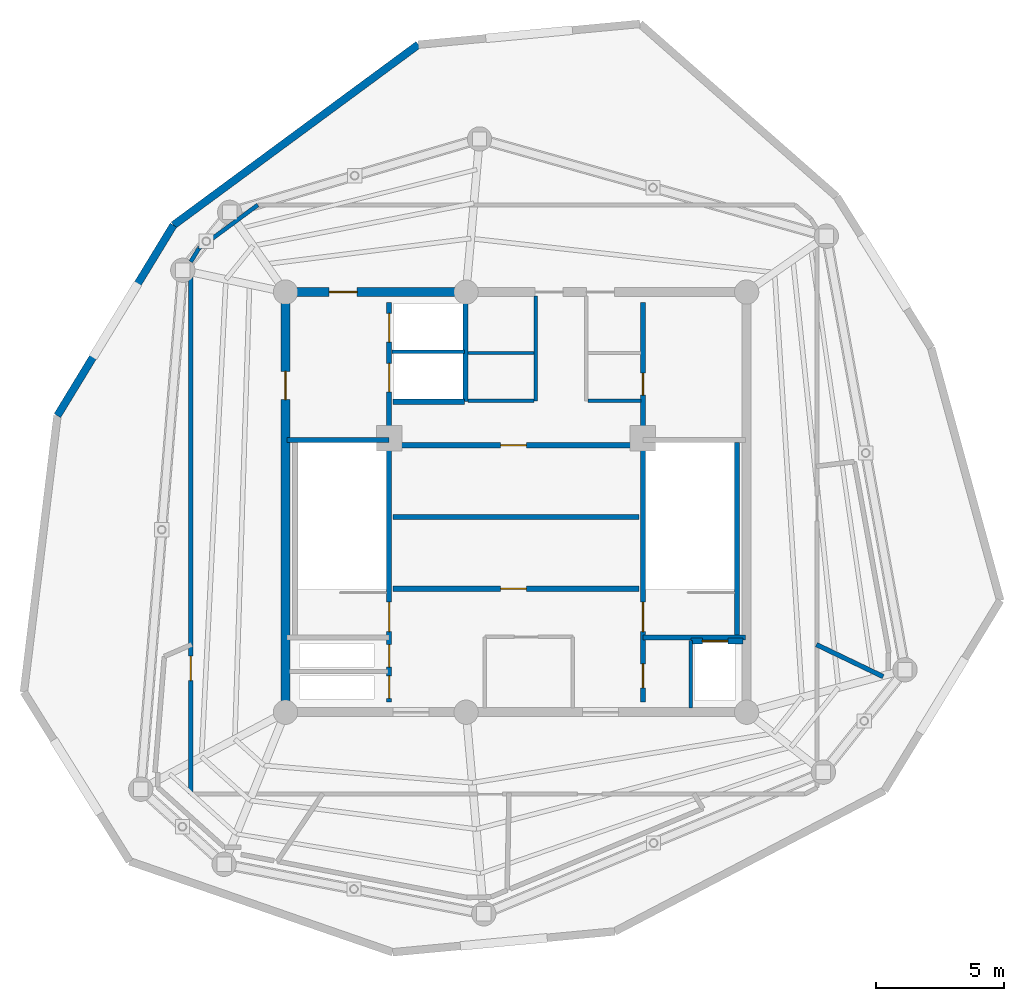
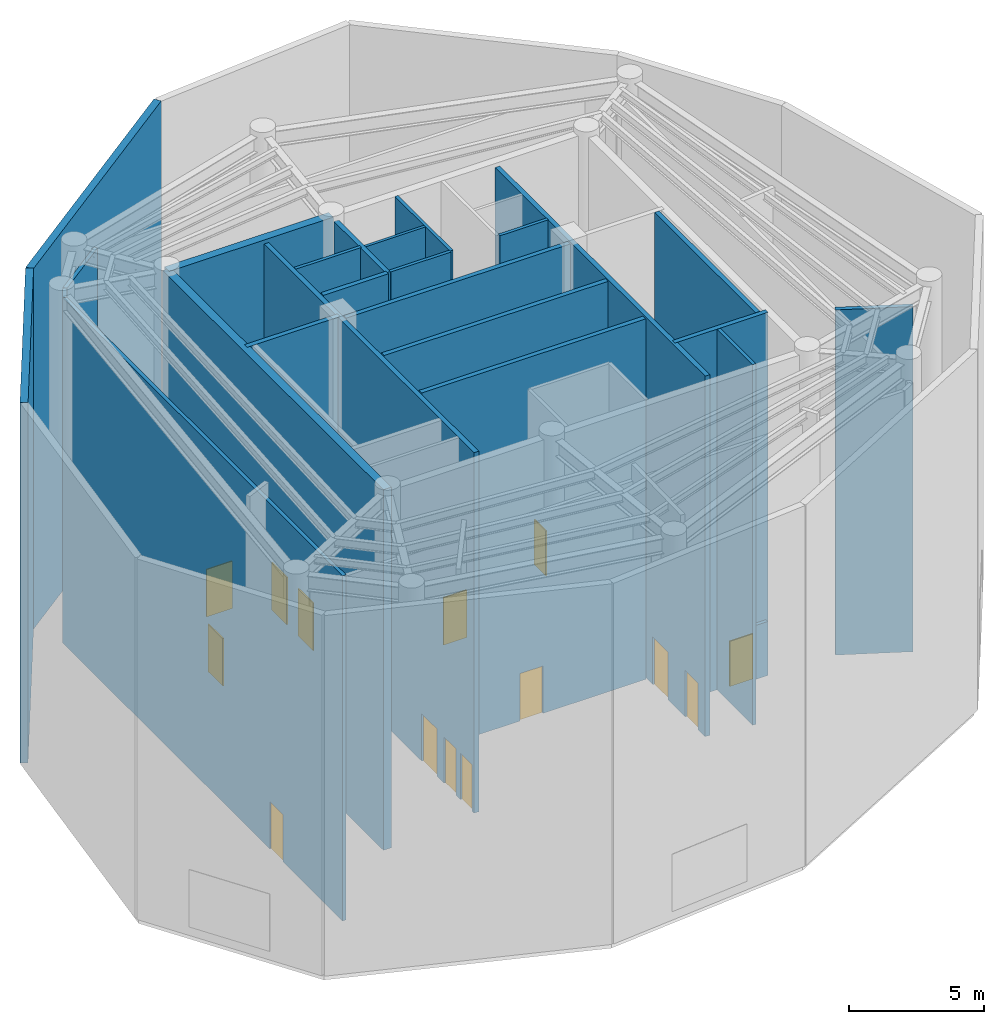
# One storey, part 4 of 6: 25 walls, 14 doors, 14 openings.
"""IFC4 building model written with IfcOpenShell, lengths in metres."""

from ifc_helpers import new_model, si_unit, direction, frame, frame_2d, origin, origin_with_axes, place, context, subcontext, project, spatial, rectangle, extrude, source, transform, mapped, material, layer, layer_set, type_object, element, fill, save


model = new_model("IFC4")

# Units and contexts
model_context = context("Model", 3, precision=1e-05, world=origin(), true_north=direction((0.0, 1.0)))
body_context = subcontext(model_context, "Body", "Model", "MODEL_VIEW")
ifc_project = project(units=[si_unit("LENGTHUNIT", "METRE"), si_unit("AREAUNIT", "SQUARE_METRE"), si_unit("VOLUMEUNIT", "CUBIC_METRE"), si_unit("PLANEANGLEUNIT", "RADIAN"), si_unit("MASSUNIT", "GRAM", prefix="KILO")], contexts=[model_context])

# Site, building, storey
site_placement = place(None, origin())
site = spatial("IfcSite", under=ifc_project, at=site_placement, CompositionType="ELEMENT")
building_placement = place(site_placement, origin())
building = spatial("IfcBuilding", under=site, at=building_placement, Name="Karkom Vertical University and Central Library", CompositionType="ELEMENT")
storey_placement = place(building_placement, frame((0.0, 0.0, 273.39990234375)))
storey = spatial("IfcBuildingStorey", under=building, at=storey_placement, Name="C81", CompositionType="ELEMENT", Elevation=273.39990234375)

# Walls
ifc_material_1 = material(Name="Brick-faced precast concrete C45/55", Category="masonry")
ifc_layer_1 = layer(ifc_material_1, 0.300048828125)
ifc_layer_set_1 = layer_set([ifc_layer_1], Name="Brick-faced precast concrete C45/55")
wall_type_1 = type_object("IfcWallType", Name="ENV-WL-CRN-300", PredefinedType="SOLIDWALL", material=ifc_layer_set_1)
wall_1_placement = place(storey_placement, frame((24.684814453125, 44.360107421875, 0.0), z_axis=(0.0, 0.0, 1.0), x_axis=(-0.804889434658, -0.593424803977, 0.0)))
element("IfcWall", 1, at=wall_1_placement, inside=storey, type_object=wall_type_1, Name="Crown Level 81 Brick-Faced Precast Facade Wall 10", PredefinedType="SOLIDWALL", context=body_context, shape_type="SweptSolid", body=[
    extrude(rectangle(XDim=11.87646484375, YDim=0.300048828125, at=frame_2d((5.938232421875, 0.0))), origin(), (0.0, 0.0, 1.0), 16.35009765625),
])
wall_2_placement = place(storey_placement, frame((15.12548828125, 37.312255859375, 0.0), z_axis=(0.0, 0.0, 1.0), x_axis=(-0.520339182014, -0.853959680349, 0.0)))
element("IfcWall", 2, at=wall_2_placement, inside=storey, type_object=wall_type_1, Name="Crown Level 81 Brick-Faced Precast Facade Wall 11", PredefinedType="SOLIDWALL", context=body_context, shape_type="SweptSolid", body=[
    extrude(rectangle(XDim=8.706787109375, YDim=0.300048828125, at=frame_2d((4.353515625, 0.0))), origin(), (0.0, 0.0, 1.0), 16.35009765625),
])

# Wall, opening, door
ifc_material_2 = material(Name="Insulated metal-stud drywall 160mm", Category="gypsum")
ifc_layer_2 = layer(ifc_material_2, 0.159912109375)
ifc_layer_set_2 = layer_set([ifc_layer_2], Name="Insulated metal-stud drywall 160mm")
wall_type_2 = type_object("IfcWallType", Name="INT-WL-COR-160F", PredefinedType="PARTITIONING", material=ifc_layer_set_2)
wall_3_placement = place(storey_placement, frame((15.800048828125, 15.10009765625, 0.0), z_axis=(0.0, 0.0, 1.0), x_axis=(0.0, 1.0, 0.0)))
wall_3 = element("IfcWall", 3, at=wall_3_placement, inside=storey, type_object=wall_type_2, Name="Crown Level 81 Interior Partition Wall C81-PCORW-CW-002", PredefinedType="PARTITIONING", context=body_context, shape_type="SweptSolid", body=[
    extrude(rectangle(XDim=20.7822265625, YDim=0.159912109375, at=frame_2d((10.39111328125, 0.0))), origin(), (0.0, 0.0, 1.0), 15.650146484375),
])
opening_1_placement = place(wall_3_placement, frame((4.4306640625, 0.0, 0.0)))
opening_1 = element("IfcOpeningElement", 4, at=opening_1_placement, cuts=wall_3, Name="Opening FD-RM1", PredefinedType="OPENING", context=body_context, shape_type="SweptSolid", body=[
    extrude(rectangle(XDim=0.9599609375, YDim=2.14990234375, at=frame_2d((0.47998046875, 1.074951171875))), frame((0.0, 0.08984375, 0.0), z_axis=(0.0, -1.0, 0.0), x_axis=(1.0, 0.0, 0.0)), (0.0, 0.0, 1.0), 0.179931640625),
])
ifc_material_3 = material(Name="Fire-rated oak veneer door", Category="wood")
door_type_1 = type_object("IfcDoorType", Name="INT-DR-FRM1", OperationType="NOTDEFINED", PredefinedType="DOOR", material=ifc_material_3)
shared_shape_1 = source(origin_with_axes(), body_context, "Body", "SweptSolid", [
    extrude(rectangle(XDim=0.9599609375, YDim=2.14990234375, at=frame_2d((0.47998046875, 1.074951171875))), frame((0.0, 0.02490234375, 0.0), z_axis=(0.0, -1.0, 0.0), x_axis=(1.0, 0.0, 0.0)), (0.0, 0.0, 1.0), 0.050048828125),
])
door_1_placement = place(opening_1_placement, origin())
door_1 = element("IfcDoor", 5, at=door_1_placement, inside=storey, type_object=door_type_1, Name="Crown Level 81 Room Entry Door 700", OperationType="SINGLE_SWING_RIGHT", OverallHeight=2.14990234375, OverallWidth=0.9599609375, PredefinedType="DOOR", context=body_context, shape_type="MappedRepresentation", body=[
    mapped(shared_shape_1, transform((0.0, 0.0, 0.0), scale=1.0)),
])
fill(opening_1, door_1)

# Walls
wall_4_placement = place(storey_placement, frame((16.117919921875, 36.40380859375, 0.0), z_axis=(0.0, 0.0, 1.0), x_axis=(0.804832490676, 0.59350203197, 0.0)))
element("IfcWall", 6, at=wall_4_placement, inside=storey, type_object=wall_type_2, Name="Crown Level 81 Interior Partition Wall C81-PCORW-CW-004", PredefinedType="PARTITIONING", context=body_context, shape_type="SweptSolid", body=[
    extrude(rectangle(XDim=2.858154296875, YDim=0.159912109375, at=frame_2d((1.42919921875, 0.0))), origin(), (0.0, 0.0, 1.0), 15.650146484375),
])
wall_5_placement = place(storey_placement, frame((15.800048828125, 35.88232421875, 0.0), z_axis=(0.0, 0.0, 1.0), x_axis=(0.520479483327, 0.853874175412, 0.0)))
element("IfcWall", 7, at=wall_5_placement, inside=storey, type_object=wall_type_2, Name="Crown Level 81 Interior Partition Wall C81-PCORW-CW-003", PredefinedType="PARTITIONING", context=body_context, shape_type="SweptSolid", body=[
    extrude(rectangle(XDim=0.61083984375, YDim=0.159912109375, at=frame_2d((0.305419921875, 0.0))), origin(), (0.0, 0.0, 1.0), 15.650146484375),
])
ifc_material_4 = material(Name="Moisture-resistant drywall 120mm", Category="gypsum")
ifc_layer_3 = layer(ifc_material_4, 0.1201171875)
ifc_layer_set_3 = layer_set([ifc_layer_3], Name="Moisture-resistant drywall 120mm")
wall_type_3 = type_object("IfcWallType", Name="INT-WL-INT-120H", PredefinedType="PARTITIONING", material=ifc_layer_set_3)
wall_6_placement = place(storey_placement, frame((26.6201171875, 32.320068359375, 0.0), z_axis=(0.0, 0.0, 1.0), x_axis=(1.0, 0.0, 0.0)))
element("IfcWall", 8, at=wall_6_placement, inside=storey, type_object=wall_type_3, Name="Crown Level 81 Interior Partition Wall C81-CW-PH-MW", PredefinedType="PARTITIONING", context=body_context, shape_type="SweptSolid", body=[
    extrude(rectangle(XDim=2.579833984375, YDim=0.1201171875, at=frame_2d((1.2900390625, 0.0))), origin(), (0.0, 0.0, 1.0), 16.35009765625),
])
ifc_material_5 = material(Name="Metal-stud gypsum partition 140mm", Category="gypsum")
ifc_layer_4 = layer(ifc_material_5, 0.139892578125)
ifc_layer_set_4 = layer_set([ifc_layer_4], Name="Metal-stud gypsum partition 140mm")
wall_type_4 = type_object("IfcWallType", Name="INT-WL-SUB-140H", PredefinedType="PARTITIONING", material=ifc_layer_set_4)
wall_7_placement = place(storey_placement, frame((29.260009765625, 30.449951171875, 0.0), z_axis=(0.0, 0.0, 1.0), x_axis=(0.0, 1.0, 0.0)))
element("IfcWall", 9, at=wall_7_placement, inside=storey, type_object=wall_type_4, Name="Crown Level 81 Interior Partition Wall C81-CW-PH-W", PredefinedType="PARTITIONING", context=body_context, shape_type="SweptSolid", body=[
    extrude(rectangle(XDim=4.090087890625, YDim=0.139892578125, at=frame_2d((2.044921875, 0.0))), origin(), (0.0, 0.0, 1.0), 16.35009765625),
])
wall_8_placement = place(storey_placement, frame((26.6201171875, 30.449951171875, 0.0), z_axis=(0.0, 0.0, 1.0), x_axis=(1.0, 0.0, 0.0)))
element("IfcWall", 10, at=wall_8_placement, inside=storey, type_object=wall_type_4, Name="Crown Level 81 Interior Partition Wall C81-CW-PH-S1", PredefinedType="PARTITIONING", context=body_context, shape_type="SweptSolid", body=[
    extrude(rectangle(XDim=2.579833984375, YDim=0.139892578125, at=frame_2d((1.2900390625, 0.0))), origin(), (0.0, 0.0, 1.0), 16.35009765625),
])
wall_9_placement = place(storey_placement, frame((35.320068359375, 18.4599609375, 0.0), z_axis=(0.0, 0.0, 1.0), x_axis=(0.0, 1.0, 0.0)))
element("IfcWall", 11, at=wall_9_placement, inside=storey, type_object=wall_type_4, Name="Crown Level 81 Interior Partition Wall C81-CW-RIS-E", PredefinedType="PARTITIONING", context=body_context, shape_type="SweptSolid", body=[
    extrude(rectangle(XDim=2.6396484375, YDim=0.139892578125, at=frame_2d((1.31982421875, 0.0))), origin(), (0.0, 0.0, 1.0), 16.35009765625),
])
wall_10_placement = place(storey_placement, frame((31.300048828125, 30.449951171875, 0.0), z_axis=(0.0, 0.0, 1.0), x_axis=(1.0, 0.0, 0.0)))
element("IfcWall", 12, at=wall_10_placement, inside=storey, type_object=wall_type_4, Name="Crown Level 81 Interior Partition Wall C81-CW-PH-S2", PredefinedType="PARTITIONING", context=body_context, shape_type="SweptSolid", body=[
    extrude(rectangle(XDim=2.074951171875, YDim=0.139892578125, at=frame_2d((1.03759765625, 0.0))), origin(), (0.0, 0.0, 1.0), 16.35009765625),
])
ifc_layer_5 = layer(ifc_material_5, 0.139892578125)
ifc_layer_set_5 = layer_set([ifc_layer_5], Name="Metal-stud gypsum partition 140mm")
wall_type_5 = type_object("IfcWallType", Name="INT-WL-SUB-140X", PredefinedType="PARTITIONING", material=ifc_layer_set_5)
wall_11_placement = place(storey_placement, frame((23.652099609375, 32.3701171875, 0.0), z_axis=(0.0, 0.0, 1.0), x_axis=(1.0, 0.0, 0.0)))
element("IfcWall", 13, at=wall_11_placement, inside=storey, type_object=wall_type_5, Name="Crown Level 81 Interior Partition Wall C81-CW-FFL-M", PredefinedType="PARTITIONING", context=body_context, shape_type="SweptSolid", body=[
    extrude(rectangle(XDim=2.827880859375, YDim=0.139892578125, at=frame_2d((1.4140625, 0.0))), origin(), (0.0, 0.0, 1.0), 16.35009765625),
])
ifc_material_6 = material(Name="Twin-stud acoustic drywall 180mm", Category="gypsum")
ifc_layer_6 = layer(ifc_material_6, 0.179931640625)
ifc_layer_set_6 = layer_set([ifc_layer_6], Name="Twin-stud acoustic drywall 180mm")
wall_type_6 = type_object("IfcWallType", Name="INT-WL-TEN-180F", PredefinedType="PARTITIONING", material=ifc_layer_set_6)
wall_12_placement = place(storey_placement, frame((42.829833984375, 19.689697265625, 0.0), z_axis=(0.0, 0.0, 1.0), x_axis=(-0.901570483587, 0.432632249288, 0.0)))
element("IfcWall", 14, at=wall_12_placement, inside=storey, type_object=wall_type_6, Name="Crown Level 81 Interior Partition Wall C81-PLCHW-019", PredefinedType="PARTITIONING", context=body_context, shape_type="SweptSolid", body=[
    extrude(rectangle(XDim=2.8916015625, YDim=0.179931640625, at=frame_2d((1.44580078125, 0.0))), origin(), (0.0, 0.0, 1.0), 15.650146484375),
])

# Wall, opening, door
ifc_material_7 = material(Name="Concrete C45/55", Category="concrete")
ifc_layer_7 = layer(ifc_material_7, 0.219970703125)
ifc_layer_set_7 = layer_set([ifc_layer_7], Name="Concrete C45/55")
wall_type_7 = type_object("IfcWallType", Name="STR-WL-CW-220", PredefinedType="SHEAR", material=ifc_layer_set_7)
wall_13_placement = place(storey_placement, frame((35.320068359375, 21.080078125, 0.0), z_axis=(0.0, 0.0, 1.0), x_axis=(1.0, 0.0, 0.0)))
wall_13 = element("IfcWall", 15, at=wall_13_placement, inside=storey, type_object=wall_type_7, Name="Crown Level 81 Duct Riser Access Wall 5", PredefinedType="SHEAR", context=body_context, shape_type="SweptSolid", body=[
    extrude(rectangle(XDim=2.030029296875, YDim=0.219970703125, at=frame_2d((1.01513671875, 0.0))), origin(), (0.0, 0.0, 1.0), 2.4501953125),
])
opening_2_placement = place(wall_13_placement, frame((0.449951171875, 0.0, 0.0)))
opening_2 = element("IfcOpeningElement", 16, at=opening_2_placement, cuts=wall_13, Name="Opening HD-1", PredefinedType="OPENING", context=body_context, shape_type="SweptSolid", body=[
    extrude(rectangle(XDim=1.0, YDim=2.050048828125, at=frame_2d((0.5, 1.02490234375))), frame((0.0, 0.1201171875, 0.0), z_axis=(0.0, -1.0, 0.0), x_axis=(1.0, 0.0, 0.0)), (0.0, 0.0, 1.0), 0.239990234375),
])
ifc_material_8 = material(Name="Insulated aluminium riser access door", Category="aluminium")
door_type_2 = type_object("IfcDoorType", Name="ENV-DR-HTCH", OperationType="SINGLE_SWING_LEFT", PredefinedType="TRAPDOOR", material=ifc_material_8)
shared_shape_2 = source(origin_with_axes(), body_context, "Body", "SweptSolid", [
    extrude(rectangle(XDim=1.0, YDim=2.050048828125, at=frame_2d((0.5, 1.02490234375))), frame((0.0, 0.02490234375, 0.0), z_axis=(0.0, -1.0, 0.0), x_axis=(1.0, 0.0, 0.0)), (0.0, 0.0, 1.0), 0.050048828125),
])
door_2_placement = place(opening_2_placement, origin())
door_2 = element("IfcDoor", 17, at=door_2_placement, inside=storey, type_object=door_type_2, Name="Crown Level 81 Maintenance Riser Access Hatch Door 5", OperationType="SINGLE_SWING_LEFT", OverallHeight=2.050048828125, OverallWidth=1.0, PredefinedType="TRAPDOOR", context=body_context, shape_type="MappedRepresentation", body=[
    mapped(shared_shape_2, transform((0.0, 0.0, 0.0), scale=1.0)),
])
fill(opening_2, door_2)

ifc_layer_8 = layer(ifc_material_7, 0.35009765625)
ifc_layer_set_8 = layer_set([ifc_layer_8], Name="Concrete C45/55")
wall_type_8 = type_object("IfcWallType", Name="STR-WL-CW-350", PredefinedType="SHEAR", material=ifc_layer_set_8)
wall_14_placement = place(storey_placement, frame((26.550048828125, 34.699951171875, 0.0), z_axis=(0.0, 0.0, 1.0), x_axis=(-1.0, 0.0, 0.0)))
wall_14 = element("IfcWall", 18, at=wall_14_placement, inside=storey, type_object=wall_type_8, Name="Crown Level 81 Central Core Shear Wall NW2", PredefinedType="SHEAR", context=body_context, shape_type="SweptSolid", body=[
    extrude(rectangle(XDim=7.050048828125, YDim=0.35009765625, at=frame_2d((3.52490234375, 0.0))), origin(), (0.0, 0.0, 1.0), 16.35009765625),
])
opening_3_placement = place(wall_14_placement, frame((4.25, 0.0, 0.0)))
opening_3 = element("IfcOpeningElement", 19, at=opening_3_placement, cuts=wall_14, Name="Opening FD-FFL", PredefinedType="OPENING", context=body_context, shape_type="SweptSolid", body=[
    extrude(rectangle(XDim=1.10009765625, YDim=2.14990234375, at=frame_2d((0.550048828125, 1.074951171875))), frame((0.0, 0.18505859375, 0.0), z_axis=(0.0, -1.0, 0.0), x_axis=(1.0, 0.0, 0.0)), (0.0, 0.0, 1.0), 0.3701171875),
])
ifc_material_9 = material(Name="Painted steel smoke-seal fire door", Category="steel")
door_type_3 = type_object("IfcDoorType", Name="INT-DR-FFL", OperationType="NOTDEFINED", PredefinedType="DOOR", material=ifc_material_9)
shared_shape_3 = source(origin_with_axes(), body_context, "Body", "SweptSolid", [
    extrude(rectangle(XDim=1.10009765625, YDim=2.14990234375, at=frame_2d((0.550048828125, 1.074951171875))), frame((0.0, 0.02490234375, 0.0), z_axis=(0.0, -1.0, 0.0), x_axis=(1.0, 0.0, 0.0)), (0.0, 0.0, 1.0), 0.050048828125),
])
door_3_placement = place(opening_3_placement, origin())
door_3 = element("IfcDoor", 20, at=door_3_placement, inside=storey, type_object=door_type_3, Name="Crown Level 81 Firefighting Lobby Door", OperationType="SINGLE_SWING_RIGHT", OverallHeight=2.14990234375, OverallWidth=1.10009765625, PredefinedType="DOOR", context=body_context, shape_type="MappedRepresentation", body=[
    mapped(shared_shape_3, transform((0.0, 0.0, 0.0), scale=1.0)),
])
fill(opening_3, door_3)

wall_15_placement = place(storey_placement, frame((19.5, 34.699951171875, 0.0), z_axis=(0.0, 0.0, 1.0), x_axis=(0.0, -1.0, 0.0)))
wall_15 = element("IfcWall", 21, at=wall_15_placement, inside=storey, type_object=wall_type_8, Name="Crown Level 81 Central Core Shear Wall WW", PredefinedType="SHEAR", context=body_context, shape_type="SweptSolid", body=[
    extrude(rectangle(XDim=16.39990234375, YDim=0.35009765625, at=frame_2d((8.199951171875, 0.0))), origin(), (0.0, 0.0, 1.0), 16.35009765625),
])
opening_4_placement = place(wall_15_placement, frame((3.10009765625, 0.0, 0.0)))
opening_4 = element("IfcOpeningElement", 22, at=opening_4_placement, cuts=wall_15, Name="Opening FD-FFL", PredefinedType="OPENING", context=body_context, shape_type="SweptSolid", body=[
    extrude(rectangle(XDim=1.10009765625, YDim=2.14990234375, at=frame_2d((0.550048828125, 1.074951171875))), frame((0.0, 0.18505859375, 0.0), z_axis=(0.0, -1.0, 0.0), x_axis=(1.0, 0.0, 0.0)), (0.0, 0.0, 1.0), 0.3701171875),
])
door_4_placement = place(opening_4_placement, origin())
door_4 = element("IfcDoor", 23, at=door_4_placement, inside=storey, type_object=door_type_3, Name="Crown Level 81 West Corridor Firefighting Lobby Door", OperationType="SINGLE_SWING_LEFT", OverallHeight=2.14990234375, OverallWidth=1.10009765625, PredefinedType="DOOR", context=body_context, shape_type="MappedRepresentation", body=[
    mapped(shared_shape_3, transform((0.0, 0.0, 0.0), scale=1.0)),
])
fill(opening_4, door_4)

# Wall, openings, doors
ifc_layer_9 = layer(ifc_material_7, 0.199951171875)
ifc_layer_set_9 = layer_set([ifc_layer_9], Name="Concrete C45/55")
wall_type_9 = type_object("IfcWallType", Name="STR-WL-ST-200", PredefinedType="SHEAR", material=ifc_layer_set_9)
wall_16_placement = place(storey_placement, frame((23.544921875, 18.699951171875, 0.0), z_axis=(0.0, 0.0, 1.0), x_axis=(0.0, 1.0, 0.0)))
wall_16 = element("IfcWall", 24, at=wall_16_placement, inside=storey, type_object=wall_type_9, Name="Crown Level 81 Core Shaft Wall C81-CW-ST1-E", PredefinedType="SHEAR", context=body_context, shape_type="SweptSolid", body=[
    extrude(rectangle(XDim=15.60009765625, YDim=0.199951171875, at=frame_2d((7.800048828125, 0.0))), origin(), (0.0, 0.0, 1.0), 16.35009765625),
])
opening_5_placement = place(wall_16_placement, frame((2.75, 0.0, 0.0)))
opening_5 = element("IfcOpeningElement", 25, at=opening_5_placement, cuts=wall_16, Name="Opening FD-ST1", PredefinedType="OPENING", context=body_context, shape_type="SweptSolid", body=[
    extrude(rectangle(XDim=1.14990234375, YDim=2.14990234375, at=frame_2d((0.574951171875, 1.074951171875))), frame((0.0, 0.10986328125, 0.0), z_axis=(0.0, -1.0, 0.0), x_axis=(1.0, 0.0, 0.0)), (0.0, 0.0, 1.0), 0.219970703125),
])
opening_6_placement = place(wall_16_placement, frame((0.139892578125, 0.0, 0.0)))
opening_6 = element("IfcOpeningElement", 26, at=opening_6_placement, cuts=wall_16, Name="Opening FD-RIS", PredefinedType="OPENING", context=body_context, shape_type="SweptSolid", body=[
    extrude(rectangle(XDim=0.8798828125, YDim=2.10009765625, at=frame_2d((0.43994140625, 1.050048828125))), frame((0.0, 0.10986328125, 0.0), z_axis=(0.0, -1.0, 0.0), x_axis=(1.0, 0.0, 0.0)), (0.0, 0.0, 1.0), 0.219970703125),
])
opening_7_placement = place(wall_16_placement, frame((1.360107421875, 0.0, 0.0)))
opening_7 = element("IfcOpeningElement", 27, at=opening_7_placement, cuts=wall_16, Name="Opening FD-RIS", PredefinedType="OPENING", context=body_context, shape_type="SweptSolid", body=[
    extrude(rectangle(XDim=0.8798828125, YDim=2.10009765625, at=frame_2d((0.43994140625, 1.050048828125))), frame((0.0, 0.10986328125, 0.0), z_axis=(0.0, -1.0, 0.0), x_axis=(1.0, 0.0, 0.0)), (0.0, 0.0, 1.0), 0.219970703125),
])
opening_8_placement = place(wall_16_placement, frame((12.10009765625, 0.0, 0.0)))
opening_8 = element("IfcOpeningElement", 28, at=opening_8_placement, cuts=wall_16, Name="Opening LD-FFL", PredefinedType="OPENING", context=body_context, shape_type="SweptSolid", body=[
    extrude(rectangle(XDim=1.1201171875, YDim=2.14990234375, at=frame_2d((0.56005859375, 1.074951171875))), frame((0.0, 0.10986328125, 0.0), z_axis=(0.0, -1.0, 0.0), x_axis=(1.0, 0.0, 0.0)), (0.0, 0.0, 1.0), 0.219970703125),
])
opening_9_placement = place(wall_16_placement, frame((14.050048828125, 0.0, 0.0)))
opening_9 = element("IfcOpeningElement", 29, at=opening_9_placement, cuts=wall_16, Name="Opening LD-FFL", PredefinedType="OPENING", context=body_context, shape_type="SweptSolid", body=[
    extrude(rectangle(XDim=1.1201171875, YDim=2.14990234375, at=frame_2d((0.56005859375, 1.074951171875))), frame((0.0, 0.10986328125, 0.0), z_axis=(0.0, -1.0, 0.0), x_axis=(1.0, 0.0, 0.0)), (0.0, 0.0, 1.0), 0.219970703125),
])
ifc_material_10 = material(Name="Painted steel acoustic fire door", Category="steel")
door_type_4 = type_object("IfcDoorType", Name="INT-DR-ST1", OperationType="NOTDEFINED", PredefinedType="DOOR", material=ifc_material_10)
shared_shape_4 = source(origin_with_axes(), body_context, "Body", "SweptSolid", [
    extrude(rectangle(XDim=1.14990234375, YDim=2.14990234375, at=frame_2d((0.574951171875, 1.074951171875))), frame((0.0, 0.02490234375, 0.0), z_axis=(0.0, -1.0, 0.0), x_axis=(1.0, 0.0, 0.0)), (0.0, 0.0, 1.0), 0.050048828125),
])
door_5_placement = place(opening_5_placement, origin())
door_5 = element("IfcDoor", 30, at=door_5_placement, inside=storey, type_object=door_type_4, Name="Crown Level 81 Stair ST-1 Fire Door", OperationType="SINGLE_SWING_RIGHT", OverallHeight=2.14990234375, OverallWidth=1.14990234375, PredefinedType="DOOR", context=body_context, shape_type="MappedRepresentation", body=[
    mapped(shared_shape_4, transform((0.0, 0.0, 0.0), scale=1.0)),
])
fill(opening_5, door_5)
ifc_material_11 = material(Name="Painted steel riser access door", Category="steel")
door_type_5 = type_object("IfcDoorType", Name="INT-DR-RIS", OperationType="NOTDEFINED", PredefinedType="DOOR", material=ifc_material_11)
shared_shape_5 = source(origin_with_axes(), body_context, "Body", "SweptSolid", [
    extrude(rectangle(XDim=0.8798828125, YDim=2.10009765625, at=frame_2d((0.43994140625, 1.050048828125))), frame((0.0, 0.02490234375, 0.0), z_axis=(0.0, -1.0, 0.0), x_axis=(1.0, 0.0, 0.0)), (0.0, 0.0, 1.0), 0.050048828125),
])
door_6_placement = place(opening_6_placement, origin())
door_6 = element("IfcDoor", 31, at=door_6_placement, inside=storey, type_object=door_type_5, Name="Crown Level 81 Electrical Riser Access Door", OperationType="SINGLE_SWING_LEFT", OverallHeight=2.10009765625, OverallWidth=0.8798828125, PredefinedType="DOOR", context=body_context, shape_type="MappedRepresentation", body=[
    mapped(shared_shape_5, transform((0.0, 0.0, 0.0), scale=1.0)),
])
fill(opening_6, door_6)
door_7_placement = place(opening_7_placement, origin())
door_7 = element("IfcDoor", 32, at=door_7_placement, inside=storey, type_object=door_type_5, Name="Crown Level 81 Telecom Riser Access Door", OperationType="SINGLE_SWING_RIGHT", OverallHeight=2.10009765625, OverallWidth=0.8798828125, PredefinedType="DOOR", context=body_context, shape_type="MappedRepresentation", body=[
    mapped(shared_shape_5, transform((0.0, 0.0, 0.0), scale=1.0)),
])
fill(opening_7, door_7)
ifc_material_12 = material(Name="Fire-rated stainless-steel landing door", Category="steel")
door_type_6 = type_object("IfcDoorType", Name="INT-DR-LD-FFL", OperationType="SLIDING_TO_LEFT", PredefinedType="DOOR", material=ifc_material_12)
shared_shape_6 = source(origin_with_axes(), body_context, "Body", "SweptSolid", [
    extrude(rectangle(XDim=1.1201171875, YDim=2.14990234375, at=frame_2d((0.56005859375, 1.074951171875))), frame((0.0, 0.02490234375, 0.0), z_axis=(0.0, -1.0, 0.0), x_axis=(1.0, 0.0, 0.0)), (0.0, 0.0, 1.0), 0.050048828125),
])
door_8_placement = place(opening_8_placement, origin())
door_8 = element("IfcDoor", 33, at=door_8_placement, inside=storey, type_object=door_type_6, Name="Crown Level 81 Firefighting Lift FFL-1 Landing Door", OperationType="SLIDING_TO_LEFT", OverallHeight=2.14990234375, OverallWidth=1.1201171875, PredefinedType="DOOR", context=body_context, shape_type="MappedRepresentation", body=[
    mapped(shared_shape_6, transform((0.0, 0.0, 0.0), scale=1.0)),
])
fill(opening_8, door_8)
door_9_placement = place(opening_9_placement, origin())
door_9 = element("IfcDoor", 34, at=door_9_placement, inside=storey, type_object=door_type_6, Name="Crown Level 81 Firefighting Lift FFL-2 Landing Door", OperationType="SLIDING_TO_RIGHT", OverallHeight=2.14990234375, OverallWidth=1.1201171875, PredefinedType="DOOR", context=body_context, shape_type="MappedRepresentation", body=[
    mapped(shared_shape_6, transform((0.0, 0.0, 0.0), scale=1.0)),
])
fill(opening_9, door_9)

wall_17_placement = place(storey_placement, frame((33.455078125, 18.699951171875, 0.0), z_axis=(0.0, 0.0, 1.0), x_axis=(0.0, 1.0, 0.0)))
wall_17 = element("IfcWall", 35, at=wall_17_placement, inside=storey, type_object=wall_type_9, Name="Crown Level 81 Core Shaft Wall C81-CW-ST2-W", PredefinedType="SHEAR", context=body_context, shape_type="SweptSolid", body=[
    extrude(rectangle(XDim=15.60009765625, YDim=0.199951171875, at=frame_2d((7.800048828125, 0.0))), origin(), (0.0, 0.0, 1.0), 16.35009765625),
])
opening_10_placement = place(wall_17_placement, frame((2.75, 0.0, 0.0)))
opening_10 = element("IfcOpeningElement", 36, at=opening_10_placement, cuts=wall_17, Name="Opening FD-ST1", PredefinedType="OPENING", context=body_context, shape_type="SweptSolid", body=[
    extrude(rectangle(XDim=1.14990234375, YDim=2.14990234375, at=frame_2d((0.574951171875, 1.074951171875))), frame((0.0, 0.10986328125, 0.0), z_axis=(0.0, -1.0, 0.0), x_axis=(1.0, 0.0, 0.0)), (0.0, 0.0, 1.0), 0.219970703125),
])
opening_11_placement = place(wall_17_placement, frame((0.550048828125, 0.0, 0.0)))
opening_11 = element("IfcOpeningElement", 37, at=opening_11_placement, cuts=wall_17, Name="Opening D-WC1", PredefinedType="OPENING", context=body_context, shape_type="SweptSolid", body=[
    extrude(rectangle(XDim=0.93994140625, YDim=2.10009765625, at=frame_2d((0.469970703125, 1.050048828125))), frame((0.0, 0.10986328125, 0.0), z_axis=(0.0, -1.0, 0.0), x_axis=(1.0, 0.0, 0.0)), (0.0, 0.0, 1.0), 0.219970703125),
])
opening_12_placement = place(wall_17_placement, frame((11.97998046875, 0.0, 0.0)))
opening_12 = element("IfcOpeningElement", 38, at=opening_12_placement, cuts=wall_17, Name="Opening FD-BTH2", PredefinedType="OPENING", context=body_context, shape_type="SweptSolid", body=[
    extrude(rectangle(XDim=0.860107421875, YDim=2.0400390625, at=frame_2d((0.43017578125, 1.02001953125))), frame((0.0, 0.10986328125, 0.0), z_axis=(0.0, -1.0, 0.0), x_axis=(1.0, 0.0, 0.0)), (0.0, 0.0, 1.0), 0.219970703125),
])
door_10_placement = place(opening_10_placement, origin())
door_10 = element("IfcDoor", 39, at=door_10_placement, inside=storey, type_object=door_type_4, Name="Crown Level 81 Stair ST-2 Fire Door", OperationType="SINGLE_SWING_LEFT", OverallHeight=2.14990234375, OverallWidth=1.14990234375, PredefinedType="DOOR", context=body_context, shape_type="MappedRepresentation", body=[
    mapped(shared_shape_4, transform((0.0, 0.0, 0.0), scale=1.0)),
])
fill(opening_10, door_10)
ifc_material_13 = material(Name="Fire-rated laminate moisture-resistant door", Category="wood")
door_type_7 = type_object("IfcDoorType", Name="INT-DR-WC1", OperationType="NOTDEFINED", PredefinedType="DOOR", material=ifc_material_13)
shared_shape_7 = source(origin_with_axes(), body_context, "Body", "SweptSolid", [
    extrude(rectangle(XDim=0.93994140625, YDim=2.10009765625, at=frame_2d((0.469970703125, 1.050048828125))), frame((0.0, 0.02490234375, 0.0), z_axis=(0.0, -1.0, 0.0), x_axis=(1.0, 0.0, 0.0)), (0.0, 0.0, 1.0), 0.050048828125),
])
door_11_placement = place(opening_11_placement, origin())
door_11 = element("IfcDoor", 40, at=door_11_placement, inside=storey, type_object=door_type_7, Name="Crown Level 81 Accessible WC Door", OperationType="SINGLE_SWING_LEFT", OverallHeight=2.10009765625, OverallWidth=0.93994140625, PredefinedType="DOOR", context=body_context, shape_type="MappedRepresentation", body=[
    mapped(shared_shape_7, transform((0.0, 0.0, 0.0), scale=1.0)),
])
fill(opening_11, door_11)
ifc_material_14 = material(Name="Fire-rated moisture-resistant oak door", Category="wood")
door_type_8 = type_object("IfcDoorType", Name="INT-DR-FBTH2", OperationType="NOTDEFINED", PredefinedType="DOOR", material=ifc_material_14)
shared_shape_8 = source(origin_with_axes(), body_context, "Body", "SweptSolid", [
    extrude(rectangle(XDim=0.860107421875, YDim=2.0400390625, at=frame_2d((0.43017578125, 1.02001953125))), frame((0.0, 0.02490234375, 0.0), z_axis=(0.0, -1.0, 0.0), x_axis=(1.0, 0.0, 0.0)), (0.0, 0.0, 1.0), 0.050048828125),
])
door_12_placement = place(opening_12_placement, origin())
door_12 = element("IfcDoor", 41, at=door_12_placement, inside=storey, type_object=door_type_8, Name="Crown Level 81 Crown Mechanical Plant Store Entry Door", OperationType="SINGLE_SWING_RIGHT", OverallHeight=2.0400390625, OverallWidth=0.860107421875, PredefinedType="DOOR", context=body_context, shape_type="MappedRepresentation", body=[
    mapped(shared_shape_8, transform((0.0, 0.0, 0.0), scale=1.0)),
])
fill(opening_12, door_12)

# Wall, opening, door
wall_18_placement = place(storey_placement, frame((23.699951171875, 23.1201171875, 0.0), z_axis=(0.0, 0.0, 1.0), x_axis=(1.0, 0.0, 0.0)))
wall_18 = element("IfcWall", 42, at=wall_18_placement, inside=storey, type_object=wall_type_9, Name="Crown Level 81 Core Shaft Wall C81-CW-B1-S", PredefinedType="SHEAR", context=body_context, shape_type="SweptSolid", body=[
    extrude(rectangle(XDim=9.60009765625, YDim=0.199951171875, at=frame_2d((4.800048828125, 0.0))), origin(), (0.0, 0.0, 1.0), 16.35009765625),
])
opening_13_placement = place(wall_18_placement, frame((4.199951171875, 0.0, 0.0)))
opening_13 = element("IfcOpeningElement", 43, at=opening_13_placement, cuts=wall_18, Name="Opening D-STR1", PredefinedType="OPENING", context=body_context, shape_type="SweptSolid", body=[
    extrude(rectangle(XDim=1.0, YDim=2.14990234375, at=frame_2d((0.5, 1.074951171875))), frame((0.0, 0.10986328125, 0.0), z_axis=(0.0, -1.0, 0.0), x_axis=(1.0, 0.0, 0.0)), (0.0, 0.0, 1.0), 0.219970703125),
])
ifc_material_15 = material(Name="Solid-core hardwood fire door", Category="wood")
door_type_9 = type_object("IfcDoorType", Name="INT-DR-STR1", OperationType="NOTDEFINED", PredefinedType="DOOR", material=ifc_material_15)
shared_shape_9 = source(origin_with_axes(), body_context, "Body", "SweptSolid", [
    extrude(rectangle(XDim=1.0, YDim=2.14990234375, at=frame_2d((0.5, 1.074951171875))), frame((0.0, 0.02490234375, 0.0), z_axis=(0.0, -1.0, 0.0), x_axis=(1.0, 0.0, 0.0)), (0.0, 0.0, 1.0), 0.050048828125),
])
door_13_placement = place(opening_13_placement, origin())
door_13 = element("IfcDoor", 44, at=door_13_placement, inside=storey, type_object=door_type_9, Name="Crown Level 81 Crown Plant Door B1", OperationType="SINGLE_SWING_LEFT", OverallHeight=2.14990234375, OverallWidth=1.0, PredefinedType="DOOR", context=body_context, shape_type="MappedRepresentation", body=[
    mapped(shared_shape_9, transform((0.0, 0.0, 0.0), scale=1.0)),
])
fill(opening_13, door_13)

# Wall
wall_19_placement = place(storey_placement, frame((23.699951171875, 25.919921875, 0.0), z_axis=(0.0, 0.0, 1.0), x_axis=(1.0, 0.0, 0.0)))
element("IfcWall", 45, at=wall_19_placement, inside=storey, type_object=wall_type_9, Name="Crown Level 81 Core Shaft Wall C81-CW-B1-N", PredefinedType="SHEAR", context=body_context, shape_type="SweptSolid", body=[
    extrude(rectangle(XDim=9.60009765625, YDim=0.199951171875, at=frame_2d((4.800048828125, 0.0))), origin(), (0.0, 0.0, 1.0), 16.35009765625),
])

# Wall, opening, door
wall_20_placement = place(storey_placement, frame((23.699951171875, 28.719970703125, 0.0), z_axis=(0.0, 0.0, 1.0), x_axis=(1.0, 0.0, 0.0)))
wall_20 = element("IfcWall", 46, at=wall_20_placement, inside=storey, type_object=wall_type_9, Name="Crown Level 81 Core Shaft Wall C81-CW-B2-N", PredefinedType="SHEAR", context=body_context, shape_type="SweptSolid", body=[
    extrude(rectangle(XDim=9.60009765625, YDim=0.199951171875, at=frame_2d((4.800048828125, 0.0))), origin(), (0.0, 0.0, 1.0), 16.35009765625),
])
opening_14_placement = place(wall_20_placement, frame((4.199951171875, 0.0, 0.0)))
opening_14 = element("IfcOpeningElement", 47, at=opening_14_placement, cuts=wall_20, Name="Opening D-STR1", PredefinedType="OPENING", context=body_context, shape_type="SweptSolid", body=[
    extrude(rectangle(XDim=1.0, YDim=2.14990234375, at=frame_2d((0.5, 1.074951171875))), frame((0.0, 0.10986328125, 0.0), z_axis=(0.0, -1.0, 0.0), x_axis=(1.0, 0.0, 0.0)), (0.0, 0.0, 1.0), 0.219970703125),
])
door_14_placement = place(opening_14_placement, origin())
door_14 = element("IfcDoor", 48, at=door_14_placement, inside=storey, type_object=door_type_9, Name="Crown Level 81 Crown Plant Door B2", OperationType="SINGLE_SWING_RIGHT", OverallHeight=2.14990234375, OverallWidth=1.0, PredefinedType="DOOR", context=body_context, shape_type="MappedRepresentation", body=[
    mapped(shared_shape_9, transform((0.0, 0.0, 0.0), scale=1.0)),
])
fill(opening_14, door_14)

# Walls
wall_21_placement = place(storey_placement, frame((37.125, 21.320068359375, 0.0), z_axis=(0.0, 0.0, 1.0), x_axis=(0.0, 1.0, 0.0)))
element("IfcWall", 49, at=wall_21_placement, inside=storey, type_object=wall_type_9, Name="Crown Level 81 Core Shaft Wall C81-CW-ST2-E", PredefinedType="SHEAR", context=body_context, shape_type="SweptSolid", body=[
    extrude(rectangle(XDim=7.5, YDim=0.199951171875, at=frame_2d((3.75, 0.0))), origin(), (0.0, 0.0, 1.0), 16.35009765625),
])
for number, where, z_axis, x_axis, name in (
    (50, (33.455078125, 21.215087890625, 0.0), (0.0, 0.0, 1.0), (1.0, 0.0, 0.0), "Crown Level 81 Core Shaft Wall C81-CW-ST2-S"),
    (51, (19.550048828125, 28.925048828125, 0.0), (0.0, 0.0, 1.0), (1.0, 0.0, 0.0), "Crown Level 81 Core Shaft Wall C81-CW-ST1-N"),
):
    element("IfcWall", number, at=place(storey_placement, frame(where, z_axis=z_axis, x_axis=x_axis)), inside=storey, type_object=wall_type_9, Name=name, PredefinedType="SHEAR", context=body_context, shape_type="SweptSolid", body=[
        extrude(rectangle(XDim=3.994873046875, YDim=0.199951171875, at=frame_2d((1.99755859375, 0.0))), origin(), (0.0, 0.0, 1.0), 16.35009765625),
    ])
wall_22_placement = place(storey_placement, frame((26.52001953125, 30.419921875, 0.0), z_axis=(0.0, 0.0, 1.0), x_axis=(0.0, 1.0, 0.0)))
element("IfcWall", 52, at=wall_22_placement, inside=storey, type_object=wall_type_9, Name="Crown Level 81 Core Shaft Wall C81-CW-FFL-E", PredefinedType="SHEAR", context=body_context, shape_type="SweptSolid", body=[
    extrude(rectangle(XDim=3.860107421875, YDim=0.199951171875, at=frame_2d((1.93017578125, 0.0))), origin(), (0.0, 0.0, 1.0), 16.35009765625),
])
wall_23_placement = place(storey_placement, frame((23.699951171875, 30.419921875, 0.0), z_axis=(0.0, 0.0, 1.0), x_axis=(1.0, 0.0, 0.0)))
element("IfcWall", 53, at=wall_23_placement, inside=storey, type_object=wall_type_9, Name="Crown Level 81 Core Shaft Wall C81-CW-FFL-S", PredefinedType="SHEAR", context=body_context, shape_type="SweptSolid", body=[
    extrude(rectangle(XDim=2.780029296875, YDim=0.199951171875, at=frame_2d((1.39013671875, 0.0))), origin(), (0.0, 0.0, 1.0), 16.35009765625),
])

save(model, "model.ifc")
